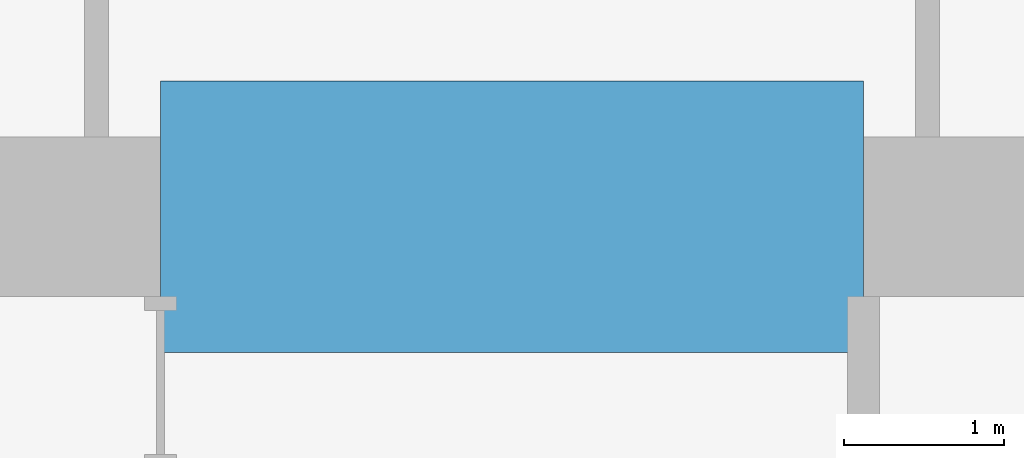
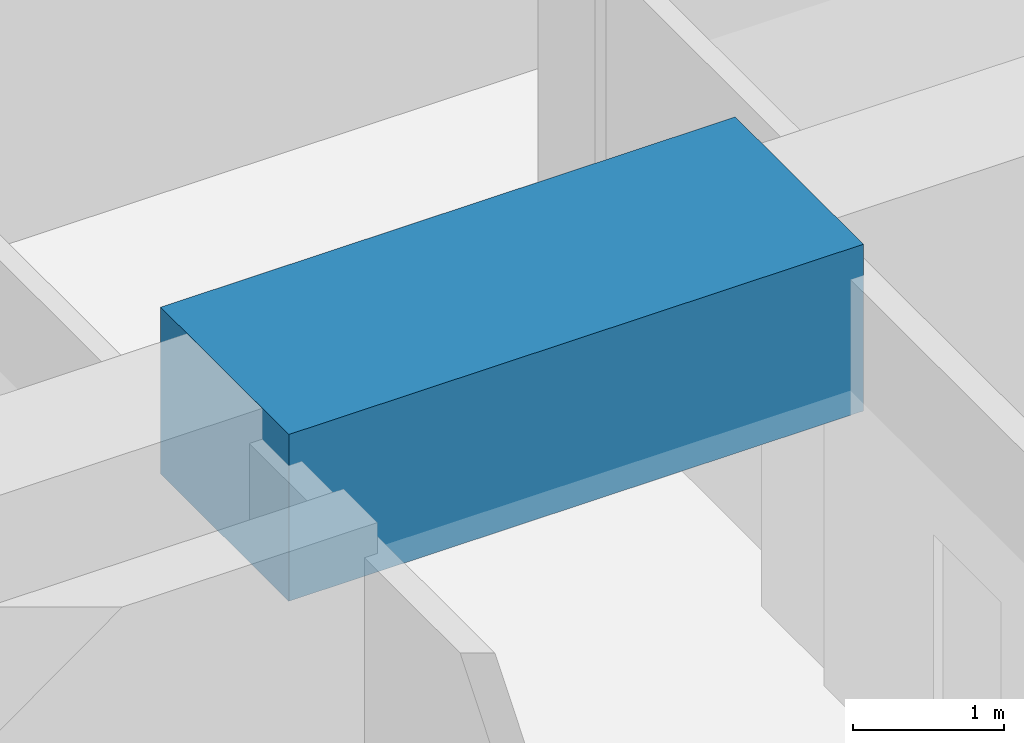
# One storey, part 18 of 39: 1 beam.
"""IFC4 building model written with IfcOpenShell, lengths in metres."""

from ifc_helpers import new_model, si_unit, direction, frame, origin, origin_2d, place, context, subcontext, project, spatial, rectangle, extrude, material, material_profile, profile_set, type_object, element, save


model = new_model("IFC4")

# Units and contexts
model_context = context("Model", 3, precision=1e-05, world=origin(), true_north=direction((0.0, 1.0)))
body_context = subcontext(model_context, "Body", "Model", "MODEL_VIEW")
ifc_project = project(units=[si_unit("LENGTHUNIT", "METRE"), si_unit("AREAUNIT", "SQUARE_METRE"), si_unit("VOLUMEUNIT", "CUBIC_METRE"), si_unit("PLANEANGLEUNIT", "RADIAN"), si_unit("MASSUNIT", "GRAM", prefix="KILO")], contexts=[model_context])

# Site, building, storey
site_placement = place(None, origin())
site = spatial("IfcSite", under=ifc_project, at=site_placement, CompositionType="ELEMENT")
building_placement = place(site_placement, origin())
building = spatial("IfcBuilding", under=site, at=building_placement, Name="Rekha Terrace Tower", CompositionType="ELEMENT")
storey_placement = place(building_placement, frame((0.0, 0.0, 147.800048828125)))
storey = spatial("IfcBuildingStorey", under=building, at=storey_placement, Name="L37", CompositionType="ELEMENT", Elevation=147.800048828125)

# Beam
ifc_material = material(Name="Concrete M70", Category="concrete")
ifc_material_profile = material_profile(ifc_material, rectangle(XDim=1.699951171875, YDim=1.35009765625, at=origin_2d()), Name="RC 1700x1350")
ifc_profile_set = profile_set([ifc_material_profile], Name="Concrete M70")
beam_type = type_object("IfcBeamType", Name="LB2A 1700x1350 diagonally reinforced coupling beam", PredefinedType="LINTEL", material=ifc_profile_set)
beam_placement = place(storey_placement, frame((35.60009765625, 46.199951171875, 3.074951171875), z_axis=(1.0, 0.0, 0.0), x_axis=(0.0, 1.0, 0.0)))
element("IfcBeam", 1, at=beam_placement, inside=storey, type_object=beam_type, Name="Coupling beam LB2A N L37", PredefinedType="LINTEL", context=body_context, shape_type="SweptSolid", body=[
    extrude(rectangle(XDim=1.699951171875, YDim=1.35009765625, at=origin_2d()), origin(), (0.0, 0.0, 1.0), 4.39990234375),
])

save(model, "model.ifc")
